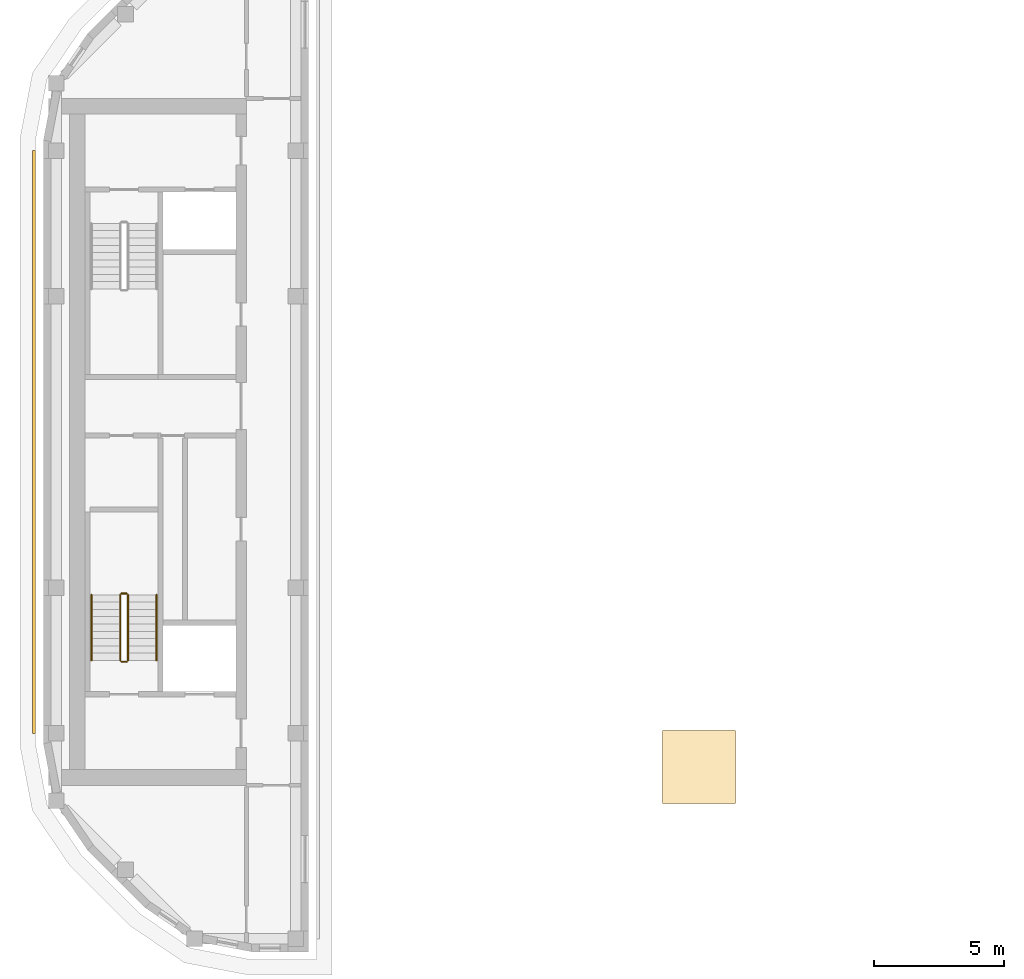
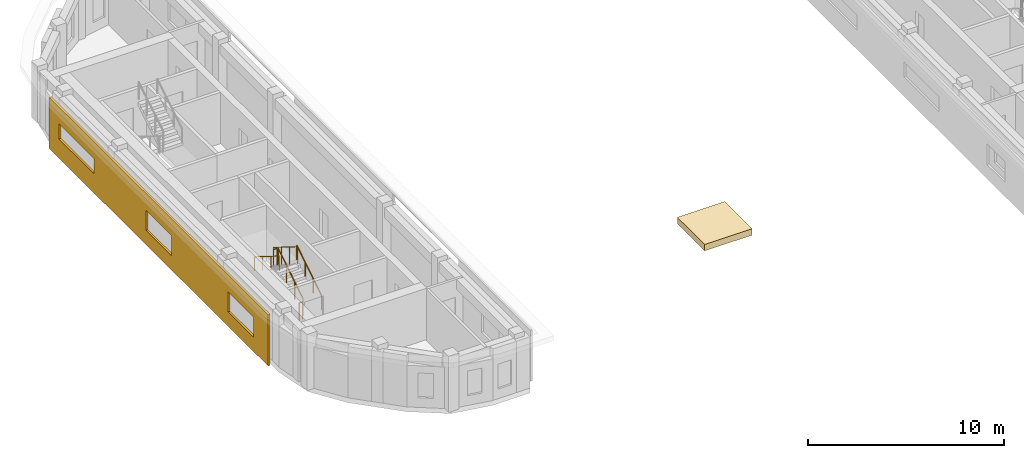
# One storey, part 6 of 11: 6 railings, 2 coverings.
"""IFC4 building model written with IfcOpenShell, lengths in metres."""

from ifc_helpers import new_model, si_unit, direction, frame, origin, origin_2d, place, context, subcontext, project, spatial, polyline, circle, outline, extrude, material, layer, layer_set, type_object, element, save


model = new_model("IFC4")

# Units and contexts
model_context = context("Model", 3, precision=1e-05, world=origin(), true_north=direction((0.0, 1.0)))
body_context = subcontext(model_context, "Body", "Model", "MODEL_VIEW")
ifc_project = project(units=[si_unit("LENGTHUNIT", "METRE"), si_unit("AREAUNIT", "SQUARE_METRE"), si_unit("VOLUMEUNIT", "CUBIC_METRE"), si_unit("PLANEANGLEUNIT", "RADIAN"), si_unit("MASSUNIT", "GRAM", prefix="KILO")], contexts=[model_context])

# Site, building, storey
site_placement = place(None, origin())
site = spatial("IfcSite", under=ifc_project, at=site_placement, CompositionType="ELEMENT")
building_placement = place(site_placement, origin())
building = spatial("IfcBuilding", under=site, at=building_placement, Name="Kiln Ring Residences", CompositionType="ELEMENT")
storey_placement = place(building_placement, frame((0.0, 0.0, 303.39990234375)))
storey = spatial("IfcBuildingStorey", under=building, at=storey_placement, Name="L78 Crown", CompositionType="ELEMENT", Elevation=303.39990234375)

# Covering
ifc_material_1 = material(Name="Concrete C35/45, exposed aggregate finish", Category="concrete")
ifc_layer_1 = layer(ifc_material_1, 0.25)
ifc_layer_set_1 = layer_set([ifc_layer_1], Name="CHHATRI ROOF 250")
covering_type_1 = type_object("IfcCoveringType", Name="CHHATRI ROOF 250", PredefinedType="ROOFING", material=ifc_layer_set_1)
covering_1_placement = place(storey_placement, frame((0.0, 0.0, 0.35009765625)))
element("IfcCovering", 1, at=covering_1_placement, inside=storey, type_object=covering_type_1, Name="CHHATRI CAP L77 Crown", PredefinedType="ROOFING", context=body_context, shape_type="SweptSolid", body=[
    extrude(outline(polyline([(1.39990234375, -13.89990234375), (1.39990234375, -11.10009765625), (-1.39990234375, -11.10009765625), (-1.39990234375, -13.89990234375), (1.39990234375, -13.89990234375)])), origin(), (0.0, 0.0, 1.0), 0.39990234375),
])

# Railings
ifc_material_2 = material(Name="Stainless steel", Category="steel")
railing_type_1 = type_object("IfcRailingType", Name="CORE-STAIR-GUARD", PredefinedType="GUARDRAIL", material=ifc_material_2)
railing_1_placement = place(storey_placement, frame((-21.949951171875, -8.39990234375, 0.175048828125)))
element("IfcRailing", 2, at=railing_1_placement, inside=storey, type_object=railing_type_1, Name="L78 Crown W-STS stair guard 1", PredefinedType="GUARDRAIL", context=body_context, shape_type="SweptSolid", body=[
    extrude(circle(Radius=0.02392578125, at=origin_2d()), frame((0.0, 0.0, 1.076171875), z_axis=(0.0, 0.848007534815, 0.529984170421), x_axis=(-1.0, 0.0, 0.0)), (0.0, 0.0, 1.0), 2.9716796875),
    extrude(circle(Radius=0.02099609375, at=origin_2d()), origin(), (0.0, 0.0, 1.0), 1.052001953125),
    extrude(circle(Radius=0.02099609375, at=origin_2d()), frame((0.0, 0.840087890625, 0.52490234375)), (0.0, 0.0, 1.0), 1.052001953125),
    extrude(circle(Radius=0.02099609375, at=origin_2d()), frame((0.0, 1.679931640625, 1.050048828125)), (0.0, 0.0, 1.0), 1.052001953125),
    extrude(circle(Radius=0.02099609375, at=origin_2d()), frame((0.0, 2.52001953125, 1.574951171875)), (0.0, 0.0, 1.0), 1.052001953125),
])
railing_2_placement = place(storey_placement, frame((-22.0, -5.830078125, 1.75)))
element("IfcRailing", 3, at=railing_2_placement, inside=storey, type_object=railing_type_1, Name="L78 Crown W-STS stair guard 2", PredefinedType="GUARDRAIL", context=body_context, shape_type="SweptSolid", body=[
    extrude(circle(Radius=0.02392578125, at=origin_2d()), frame((0.0, 0.0, 1.076171875), z_axis=(-1.0, 0.0, 0.0), x_axis=(0.0, -1.0, 0.0)), (0.0, 0.0, 1.0), 0.199951171875),
    extrude(circle(Radius=0.02099609375, at=origin_2d()), origin(), (0.0, 0.0, 1.0), 1.052001953125),
    extrude(circle(Radius=0.02099609375, at=origin_2d()), frame((-0.199951171875, 0.0, 0.0)), (0.0, 0.0, 1.0), 1.052001953125),
])
railing_3_placement = place(storey_placement, frame((-22.25, -5.8798828125, 1.925048828125)))
element("IfcRailing", 4, at=railing_3_placement, inside=storey, type_object=railing_type_1, Name="L78 Crown W-STS stair guard 3", PredefinedType="GUARDRAIL", context=body_context, shape_type="SweptSolid", body=[
    extrude(circle(Radius=0.02392578125, at=origin_2d()), frame((0.0, 0.0, 1.076171875), z_axis=(0.0, -0.848007534815, 0.529984170421), x_axis=(1.0, 0.0, 0.0)), (0.0, 0.0, 1.0), 2.9716796875),
    extrude(circle(Radius=0.02099609375, at=origin_2d()), origin(), (0.0, 0.0, 1.0), 1.052001953125),
    extrude(circle(Radius=0.02099609375, at=origin_2d()), frame((0.0, -0.840087890625, 0.52490234375)), (0.0, 0.0, 1.0), 1.052001953125),
    extrude(circle(Radius=0.02099609375, at=origin_2d()), frame((0.0, -1.679931640625, 1.050048828125)), (0.0, 0.0, 1.0), 1.052001953125),
    extrude(circle(Radius=0.02099609375, at=origin_2d()), frame((0.0, -2.52001953125, 1.574951171875)), (0.0, 0.0, 1.0), 1.052001953125),
])
railing_4_placement = place(storey_placement, frame((-22.0, -8.449951171875, 0.0)))
element("IfcRailing", 5, at=railing_4_placement, inside=storey, type_object=railing_type_1, Name="L78 Crown W-STS stair guard 4", PredefinedType="GUARDRAIL", context=body_context, shape_type="SweptSolid", body=[
    extrude(circle(Radius=0.02392578125, at=origin_2d()), frame((0.0, 0.0, 1.076171875), z_axis=(-1.0, 0.0, 0.0), x_axis=(0.0, -1.0, 0.0)), (0.0, 0.0, 1.0), 0.199951171875),
    extrude(circle(Radius=0.02099609375, at=origin_2d()), origin(), (0.0, 0.0, 1.0), 1.052001953125),
    extrude(circle(Radius=0.02099609375, at=origin_2d()), frame((-0.199951171875, 0.0, 0.0)), (0.0, 0.0, 1.0), 1.052001953125),
])
ifc_material_3 = material(Name="Stainless steel", Category="steel")
railing_type_2 = type_object("IfcRailingType", Name="CORE-STAIR-HANDRAIL", PredefinedType="HANDRAIL", material=ifc_material_3)
railing_5_placement = place(storey_placement, frame((-20.85009765625, -8.39990234375, 0.175048828125)))
element("IfcRailing", 6, at=railing_5_placement, inside=storey, type_object=railing_type_2, Name="L78 Crown W-STS stair handrail 1", PredefinedType="HANDRAIL", context=body_context, shape_type="SweptSolid", body=[
    extrude(circle(Radius=0.02392578125, at=origin_2d()), frame((0.0, 0.0, 0.8759765625), z_axis=(0.0, 0.848007534815, 0.529984170421), x_axis=(-1.0, 0.0, 0.0)), (0.0, 0.0, 1.0), 2.9716796875),
    extrude(circle(Radius=0.02099609375, at=origin_2d()), origin(), (0.0, 0.0, 1.0), 0.851806640625),
    extrude(circle(Radius=0.02099609375, at=origin_2d()), frame((0.0, 0.840087890625, 0.52490234375)), (0.0, 0.0, 1.0), 0.851806640625),
    extrude(circle(Radius=0.02099609375, at=origin_2d()), frame((0.0, 1.679931640625, 1.050048828125)), (0.0, 0.0, 1.0), 0.851806640625),
    extrude(circle(Radius=0.02099609375, at=origin_2d()), frame((0.0, 2.52001953125, 1.574951171875)), (0.0, 0.0, 1.0), 0.851806640625),
])
railing_6_placement = place(storey_placement, frame((-23.35009765625, -5.8798828125, 1.925048828125)))
element("IfcRailing", 7, at=railing_6_placement, inside=storey, type_object=railing_type_2, Name="L78 Crown W-STS stair handrail 2", PredefinedType="HANDRAIL", context=body_context, shape_type="SweptSolid", body=[
    extrude(circle(Radius=0.02392578125, at=origin_2d()), frame((0.0, 0.0, 0.8759765625), z_axis=(0.0, -0.848007534815, 0.529984170421), x_axis=(1.0, 0.0, 0.0)), (0.0, 0.0, 1.0), 2.9716796875),
    extrude(circle(Radius=0.02099609375, at=origin_2d()), origin(), (0.0, 0.0, 1.0), 0.851806640625),
    extrude(circle(Radius=0.02099609375, at=origin_2d()), frame((0.0, -0.840087890625, 0.52490234375)), (0.0, 0.0, 1.0), 0.851806640625),
    extrude(circle(Radius=0.02099609375, at=origin_2d()), frame((0.0, -1.679931640625, 1.050048828125)), (0.0, 0.0, 1.0), 0.851806640625),
    extrude(circle(Radius=0.02099609375, at=origin_2d()), frame((0.0, -2.52001953125, 1.574951171875)), (0.0, 0.0, 1.0), 0.851806640625),
])

# Covering
ifc_material_4 = material(Name="Brick masonry, dark clay brick", Category="masonry")
ifc_layer_2 = layer(ifc_material_4, 0.1201171875)
ifc_layer_set_2 = layer_set([ifc_layer_2], Name="RAINSCREEN PANEL 120")
covering_type_2 = type_object("IfcCoveringType", Name="RAINSCREEN PANEL 120", PredefinedType="CLADDING", material=ifc_layer_set_2)
covering_2_placement = place(storey_placement, frame((-25.56005859375, 11.199951171875, 0.0), z_axis=(0.0, 0.0, 1.0), x_axis=(0.0, -1.0, 0.0)))
element("IfcCovering", 8, at=covering_2_placement, inside=storey, type_object=covering_type_2, Name="RAINSCREEN L78 Crown", PredefinedType="CLADDING", context=body_context, shape_type="SweptSolid", body=[
    extrude(outline(polyline([(0.0, 0.0), (22.39990234375, 0.0), (22.39990234375, 3.2001953125), (0.0, 3.2001953125), (0.0, 0.0)]), holes=[polyline([(12.5, 2.150146484375), (9.89990234375, 2.150146484375), (9.89990234375, 0.900146484375), (12.5, 0.900146484375), (12.5, 2.150146484375)]), polyline([(20.89990234375, 0.900146484375), (20.89990234375, 2.150146484375), (18.300048828125, 2.150146484375), (18.300048828125, 0.900146484375), (20.89990234375, 0.900146484375)]), polyline([(4.60009765625, 1.2001953125), (4.60009765625, 2.150146484375), (1.0, 2.150146484375), (1.0, 1.2001953125), (4.60009765625, 1.2001953125)])]), frame((0.0, 0.06005859375, 0.0), z_axis=(0.0, -1.0, 0.0), x_axis=(1.0, 0.0, 0.0)), (0.0, 0.0, 1.0), 0.1201171875),
])

save(model, "model.ifc")
